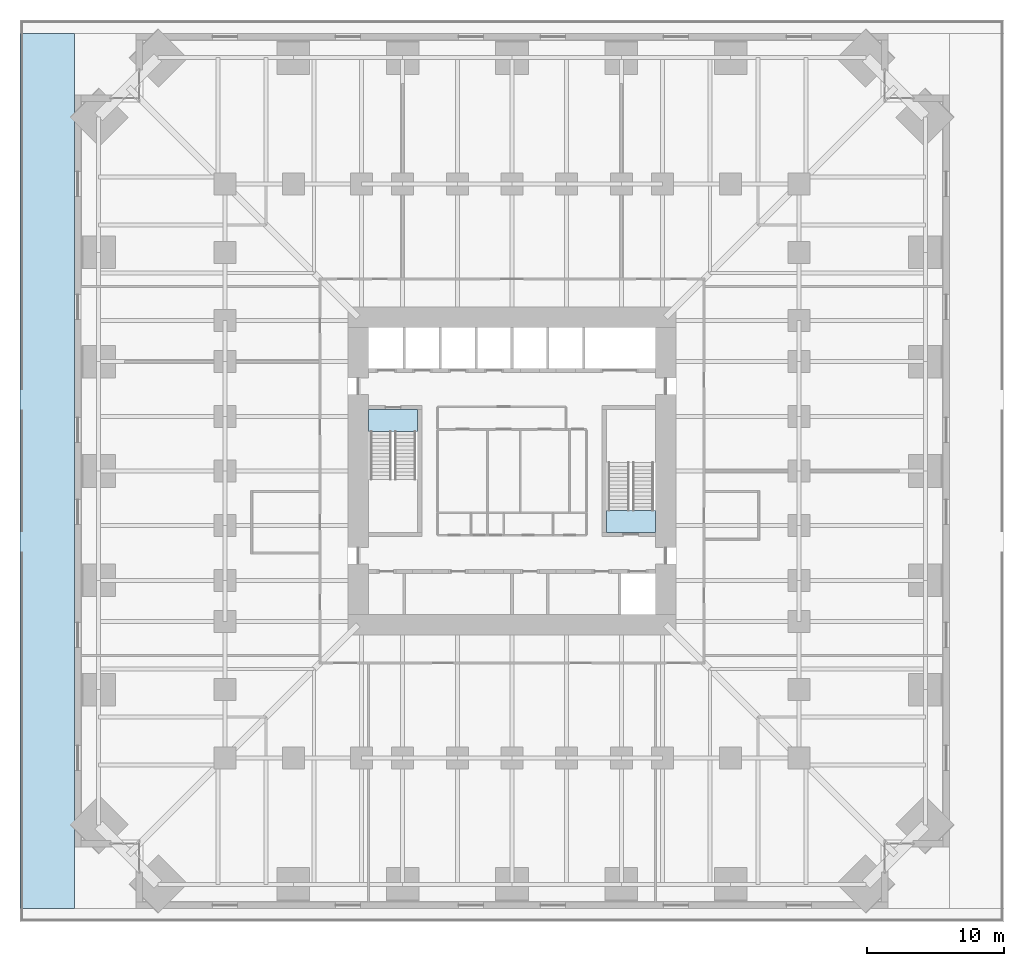
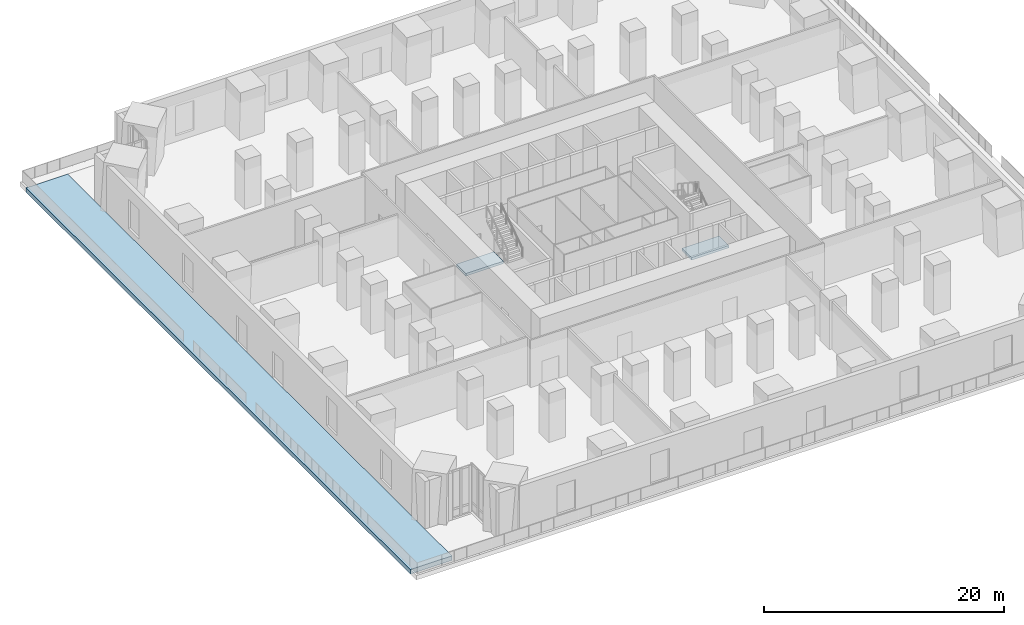
# One storey, part 15 of 26: 3 slabs, 2 elements without a shape of their own.
"""IFC4 building model written with IfcOpenShell, lengths in metres."""

from ifc_helpers import new_model, si_unit, direction, frame, origin, place, context, subcontext, project, spatial, polyline, outline, extrude, material, layer, layer_set, type_object, element, aggregate, save


model = new_model("IFC4")

# Units and contexts
model_context = context("Model", 3, precision=1e-05, world=origin(), true_north=direction((0.0, 1.0)))
body_context = subcontext(model_context, "Body", "Model", "MODEL_VIEW")
ifc_project = project(units=[si_unit("LENGTHUNIT", "METRE"), si_unit("AREAUNIT", "SQUARE_METRE"), si_unit("VOLUMEUNIT", "CUBIC_METRE"), si_unit("PLANEANGLEUNIT", "RADIAN"), si_unit("MASSUNIT", "GRAM", prefix="KILO")], contexts=[model_context])

# Site, building, storey
site_placement = place(None, origin())
site = spatial("IfcSite", under=ifc_project, at=site_placement, CompositionType="ELEMENT")
building_placement = place(site_placement, origin())
building = spatial("IfcBuilding", under=site, at=building_placement, Name="Peilmerk Tower", CompositionType="ELEMENT")
storey_placement = place(building_placement, frame((0.0, 0.0, 16.0)))
storey = spatial("IfcBuildingStorey", under=building, at=storey_placement, Name="L03", CompositionType="ELEMENT", Elevation=16.0)

# Stair, slab
ifc_material_1 = material(Name="Precast concrete C45/55", Category="concrete")
stair_type_1 = type_object("IfcStairType", Name="ST1 28 risers of 178.6", PredefinedType="HALF_TURN_STAIR", material=ifc_material_1)
stair_1_placement = place(storey_placement, origin())
stair_1 = element("IfcStair", 1, at=stair_1_placement, inside=storey, type_object=stair_type_1, Name="Stair 1 L03 to L04", PredefinedType="HALF_TURN_STAIR")
ifc_material_2 = material(Name="Concrete C35/45", Category="concrete")
ifc_layer_1 = layer(ifc_material_2, 0.25)
ifc_layer_set_1 = layer_set([ifc_layer_1], Name="Concrete C35/45")
slab_type_1 = type_object("IfcSlabType", Name="SL2 250 concrete floor landing", PredefinedType="LANDING", material=ifc_layer_set_1)
slab_1_placement = place(storey_placement, frame((0.0, 0.0, -0.25)))
slab_1 = element("IfcSlab", 2, at=slab_1_placement, type_object=slab_type_1, Name="ST1 floor landing", PredefinedType="LANDING", context=body_context, shape_type="SweptSolid", body=[
    extrude(outline(polyline([(-10.5, 2.89990234375), (-6.89990234375, 2.89990234375), (-6.89990234375, 4.5), (-10.5, 4.5), (-10.5, 2.89990234375)])), origin(), (0.0, 0.0, 1.0), 0.25),
])
aggregate(stair_1, [slab_1])

stair_type_2 = type_object("IfcStairType", Name="ST2 28 risers of 178.6", PredefinedType="HALF_TURN_STAIR", material=ifc_material_1)
stair_2_placement = place(storey_placement, origin())
stair_2 = element("IfcStair", 3, at=stair_2_placement, inside=storey, type_object=stair_type_2, Name="Stair 2 L03 to L04", PredefinedType="HALF_TURN_STAIR")
slab_2_placement = place(storey_placement, frame((0.0, 0.0, -0.25)))
slab_2 = element("IfcSlab", 4, at=slab_2_placement, type_object=slab_type_1, Name="ST2 floor landing", PredefinedType="LANDING", context=body_context, shape_type="SweptSolid", body=[
    extrude(outline(polyline([(6.89990234375, -4.5), (10.5, -4.5), (10.5, -2.89990234375), (6.89990234375, -2.89990234375), (6.89990234375, -4.5)])), origin(), (0.0, 0.0, 1.0), 0.25),
])
aggregate(stair_2, [slab_2])

# Slab
ifc_layer_2 = layer(ifc_material_2, 0.449951171875)
ifc_layer_set_2 = layer_set([ifc_layer_2], Name="Concrete C35/45")
slab_type_2 = type_object("IfcSlabType", Name="TS450 450 terrace roof slab", PredefinedType="ROOF", material=ifc_layer_set_2)
slab_3_placement = place(storey_placement, frame((0.0, 0.0, -0.449951171875)))
element("IfcSlab", 5, at=slab_3_placement, inside=storey, type_object=slab_type_2, Name="Terrace slab L03 W", PredefinedType="ROOF", context=body_context, shape_type="SweptSolid", body=[
    extrude(outline(polyline([(-36.0, 32.0), (-36.0, -32.0), (-32.0, -32.0), (-32.0, 32.0), (-36.0, 32.0)])), origin(), (0.0, 0.0, 1.0), 0.449951171875),
])

save(model, "model.ifc")
